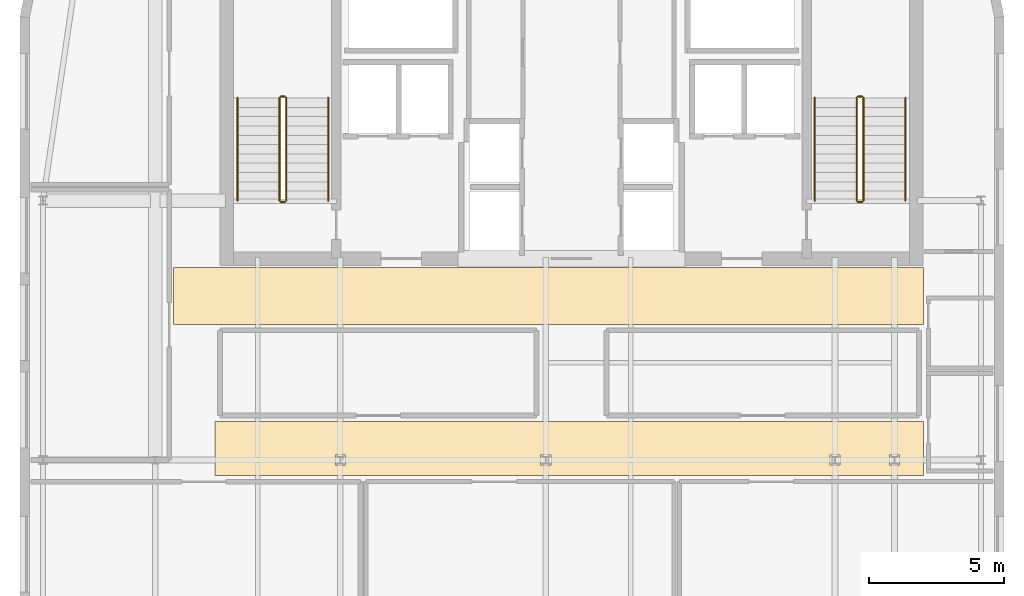
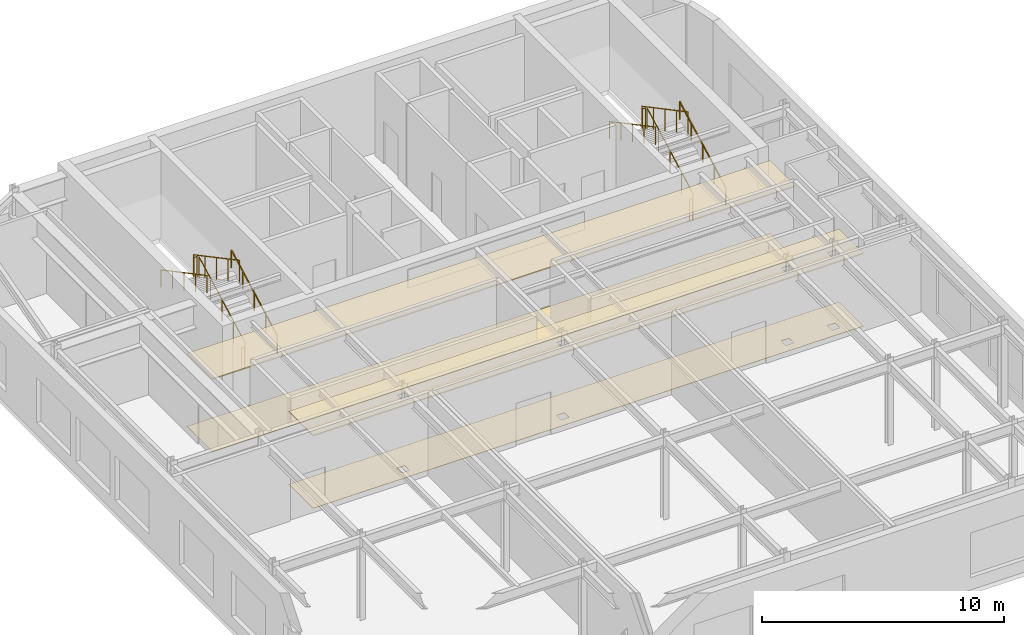
# One storey, part 10 of 10: 12 railings, 4 coverings.
"""IFC4 building model written with IfcOpenShell, lengths in metres."""

from ifc_helpers import new_model, si_unit, direction, frame, origin, origin_2d, place, context, subcontext, project, spatial, polyline, circle, outline, extrude, material, layer, layer_set, type_object, element, save


model = new_model("IFC4")

# Units and contexts
model_context = context("Model", 3, precision=1e-05, world=origin(), true_north=direction((0.0, 1.0)))
body_context = subcontext(model_context, "Body", "Model", "MODEL_VIEW")
ifc_project = project(units=[si_unit("LENGTHUNIT", "METRE"), si_unit("AREAUNIT", "SQUARE_METRE"), si_unit("VOLUMEUNIT", "CUBIC_METRE"), si_unit("PLANEANGLEUNIT", "RADIAN"), si_unit("MASSUNIT", "GRAM", prefix="KILO")], contexts=[model_context])

# Site, building, storey
site_placement = place(None, origin())
site = spatial("IfcSite", under=ifc_project, at=site_placement, CompositionType="ELEMENT")
building_placement = place(site_placement, origin())
building = spatial("IfcBuilding", under=site, at=building_placement, Name="Tolvann Quenvar Hotel", CompositionType="ELEMENT")
storey_placement = place(building_placement, frame((0.0, 0.0, 282.14990234375)))
storey = spatial("IfcBuildingStorey", under=building, at=storey_placement, Name="L75", CompositionType="ELEMENT", Elevation=282.14990234375)

# Coverings
ifc_material_1 = material(Name="Micro-perforated acoustic mineral-fibre and timber-batten suspended ceiling", Category="wood")
ifc_layer_1 = layer(ifc_material_1, 0.054931640625)
ifc_layer_set_1 = layer_set([ifc_layer_1], Name="Micro-perforated acoustic mineral-fibre and timber-batten suspended ceiling")
covering_type_1 = type_object("IfcCoveringType", Name="COV_CEIL_TIMBER_55", PredefinedType="CEILING", material=ifc_layer_set_1)
covering_1_placement = place(storey_placement, frame((0.0, 0.0, 3.64013671875)))
element("IfcCovering", 1, at=covering_1_placement, inside=storey, type_object=covering_type_1, Name="Suspended Acoustic Ceiling (Observatory Arrival Corridor)", PredefinedType="CEILING", context=body_context, shape_type="SweptSolid", body=[
    extrude(outline(polyline([(8.27001953125, 29.419921875), (36.030029296875, 29.419921875), (36.030029296875, 31.530029296875), (8.27001953125, 31.530029296875), (8.27001953125, 29.419921875)])), origin(), (0.0, 0.0, 1.0), 0.054931640625),
])
covering_2_placement = place(storey_placement, frame((0.0, 0.0, 3.64013671875)))
element("IfcCovering", 2, at=covering_2_placement, inside=storey, type_object=covering_type_1, Name="Suspended Acoustic Ceiling (Public Observation Gallery and Viewing Concourse)", PredefinedType="CEILING", context=body_context, shape_type="SweptSolid", body=[
    extrude(outline(polyline([(9.820068359375, 23.820068359375), (36.030029296875, 23.820068359375), (36.030029296875, 25.830078125), (9.820068359375, 25.830078125), (9.820068359375, 23.820068359375)]), holes=[polyline([(14.261962890625, 24.2099609375), (14.261962890625, 24.590087890625), (14.637939453125, 24.590087890625), (14.637939453125, 24.2099609375), (14.261962890625, 24.2099609375)]), polyline([(21.862060546875, 24.2099609375), (21.862060546875, 24.590087890625), (22.238037109375, 24.590087890625), (22.238037109375, 24.2099609375), (21.862060546875, 24.2099609375)]), polyline([(32.56201171875, 24.2099609375), (32.56201171875, 24.590087890625), (32.93798828125, 24.590087890625), (32.93798828125, 24.2099609375), (32.56201171875, 24.2099609375)]), polyline([(34.761962890625, 24.2099609375), (34.761962890625, 24.590087890625), (35.137939453125, 24.590087890625), (35.137939453125, 24.2099609375), (34.761962890625, 24.2099609375)])]), origin(), (0.0, 0.0, 1.0), 0.054931640625),
])
ifc_material_2 = material(Name="Honed Australian bluestone, terrazzo and engineered oak flooring", Category="masonry")
ifc_layer_2 = layer(ifc_material_2, 0.02001953125)
ifc_layer_set_2 = layer_set([ifc_layer_2], Name="Honed Australian bluestone, terrazzo and engineered oak flooring")
covering_type_2 = type_object("IfcCoveringType", Name="COV_FLOOR_STONE_20", PredefinedType="FLOORING", material=ifc_layer_set_2)
covering_3_placement = place(storey_placement, origin())
element("IfcCovering", 3, at=covering_3_placement, inside=storey, type_object=covering_type_2, Name="Architectural Floor Finish (Observatory Arrival Corridor)", PredefinedType="FLOORING", context=body_context, shape_type="SweptSolid", body=[
    extrude(outline(polyline([(8.27001953125, 29.419921875), (36.030029296875, 29.419921875), (36.030029296875, 31.530029296875), (8.27001953125, 31.530029296875), (8.27001953125, 29.419921875)])), origin(), (0.0, 0.0, 1.0), 0.02001953125),
])
covering_4_placement = place(storey_placement, origin())
element("IfcCovering", 4, at=covering_4_placement, inside=storey, type_object=covering_type_2, Name="Architectural Floor Finish (Public Observation Gallery and Viewing Concourse)", PredefinedType="FLOORING", context=body_context, shape_type="SweptSolid", body=[
    extrude(outline(polyline([(9.820068359375, 23.820068359375), (36.030029296875, 23.820068359375), (36.030029296875, 25.830078125), (9.820068359375, 25.830078125), (9.820068359375, 23.820068359375)]), holes=[polyline([(14.261962890625, 24.2099609375), (14.261962890625, 24.590087890625), (14.637939453125, 24.590087890625), (14.637939453125, 24.2099609375), (14.261962890625, 24.2099609375)]), polyline([(21.862060546875, 24.2099609375), (21.862060546875, 24.590087890625), (22.238037109375, 24.590087890625), (22.238037109375, 24.2099609375), (21.862060546875, 24.2099609375)]), polyline([(32.56201171875, 24.2099609375), (32.56201171875, 24.590087890625), (32.93798828125, 24.590087890625), (32.93798828125, 24.2099609375), (32.56201171875, 24.2099609375)]), polyline([(34.761962890625, 24.2099609375), (34.761962890625, 24.590087890625), (35.137939453125, 24.590087890625), (35.137939453125, 24.2099609375), (34.761962890625, 24.2099609375)])]), origin(), (0.0, 0.0, 1.0), 0.02001953125),
])

# Railings
ifc_material_3 = material(Name="Brushed 316 stainless steel balustrade and handrail", Category="steel")
railing_type_1 = type_object("IfcRailingType", Name="GUARDRAIL", PredefinedType="GUARDRAIL", material=ifc_material_3)
railing_1_placement = place(storey_placement, frame((12.449951171875, 34.0, 0.183349609375)))
element("IfcRailing", 5, at=railing_1_placement, inside=storey, type_object=railing_type_1, Name="L75 ST-C1 stair guard 1", PredefinedType="GUARDRAIL", context=body_context, shape_type="SweptSolid", body=[
    extrude(circle(Radius=0.02392578125, at=origin_2d()), frame((0.0, 0.0, 1.09619140625), z_axis=(0.0, 0.883039212421, 0.469299210873), x_axis=(-1.0, 0.0, 0.0)), (0.0, 0.0, 1.0), 4.297607421875),
    extrude(circle(Radius=0.02099609375, at=origin_2d()), origin(), (0.0, 0.0, 1.0), 1.072021484375),
    extrude(circle(Radius=0.02099609375, at=origin_2d()), frame((0.0, 0.94873046875, 0.504150390625)), (0.0, 0.0, 1.0), 1.072021484375),
    extrude(circle(Radius=0.02099609375, at=origin_2d()), frame((0.0, 1.8974609375, 1.00830078125)), (0.0, 0.0, 1.0), 1.072021484375),
    extrude(circle(Radius=0.02099609375, at=origin_2d()), frame((0.0, 2.84619140625, 1.5126953125)), (0.0, 0.0, 1.0), 1.072021484375),
    extrude(circle(Radius=0.02099609375, at=origin_2d()), frame((0.0, 3.794921875, 2.016845703125)), (0.0, 0.0, 1.0), 1.072021484375),
])
railing_2_placement = place(storey_placement, frame((12.39990234375, 37.844970703125, 2.2001953125)))
element("IfcRailing", 6, at=railing_2_placement, inside=storey, type_object=railing_type_1, Name="L75 ST-C1 stair guard 2", PredefinedType="GUARDRAIL", context=body_context, shape_type="SweptSolid", body=[
    extrude(circle(Radius=0.02392578125, at=origin_2d()), frame((0.0, 0.0, 1.09619140625), z_axis=(-1.0, 0.0, 0.0), x_axis=(0.0, -1.0, 0.0)), (0.0, 0.0, 1.0), 0.14990234375),
    extrude(circle(Radius=0.02099609375, at=origin_2d()), origin(), (0.0, 0.0, 1.0), 1.072021484375),
    extrude(circle(Radius=0.02099609375, at=origin_2d()), frame((-0.14990234375, 0.0, 0.0)), (0.0, 0.0, 1.0), 1.072021484375),
])
railing_3_placement = place(storey_placement, frame((12.199951171875, 37.794921875, 2.383544921875)))
element("IfcRailing", 7, at=railing_3_placement, inside=storey, type_object=railing_type_1, Name="L75 ST-C1 stair guard 3", PredefinedType="GUARDRAIL", context=body_context, shape_type="SweptSolid", body=[
    extrude(circle(Radius=0.02392578125, at=origin_2d()), frame((0.0, 0.0, 1.09619140625), z_axis=(0.0, -0.883062754136, 0.469254911809), x_axis=(1.0, 0.0, 0.0)), (0.0, 0.0, 1.0), 4.29736328125),
    extrude(circle(Radius=0.02099609375, at=origin_2d()), origin(), (0.0, 0.0, 1.0), 1.072021484375),
    extrude(circle(Radius=0.02099609375, at=origin_2d()), frame((0.0, -0.94873046875, 0.504150390625)), (0.0, 0.0, 1.0), 1.072021484375),
    extrude(circle(Radius=0.02099609375, at=origin_2d()), frame((0.0, -1.8974609375, 1.00830078125)), (0.0, 0.0, 1.0), 1.072021484375),
    extrude(circle(Radius=0.02099609375, at=origin_2d()), frame((0.0, -2.84619140625, 1.512451171875)), (0.0, 0.0, 1.0), 1.072021484375),
    extrude(circle(Radius=0.02099609375, at=origin_2d()), frame((0.0, -3.794921875, 2.0166015625)), (0.0, 0.0, 1.0), 1.072021484375),
])
railing_4_placement = place(storey_placement, frame((12.39990234375, 33.949951171875, 0.0)))
element("IfcRailing", 8, at=railing_4_placement, inside=storey, type_object=railing_type_1, Name="L75 ST-C1 stair guard 4", PredefinedType="GUARDRAIL", context=body_context, shape_type="SweptSolid", body=[
    extrude(circle(Radius=0.02392578125, at=origin_2d()), frame((0.0, 0.0, 1.09619140625), z_axis=(-1.0, 0.0, 0.0), x_axis=(0.0, -1.0, 0.0)), (0.0, 0.0, 1.0), 0.14990234375),
    extrude(circle(Radius=0.02099609375, at=origin_2d()), origin(), (0.0, 0.0, 1.0), 1.072021484375),
    extrude(circle(Radius=0.02099609375, at=origin_2d()), frame((-0.14990234375, 0.0, 0.0)), (0.0, 0.0, 1.0), 1.072021484375),
])
railing_5_placement = place(storey_placement, frame((33.800048828125, 34.0, 0.183349609375)))
element("IfcRailing", 9, at=railing_5_placement, inside=storey, type_object=railing_type_1, Name="L75 ST-C2 stair guard 1", PredefinedType="GUARDRAIL", context=body_context, shape_type="SweptSolid", body=[
    extrude(circle(Radius=0.02392578125, at=origin_2d()), frame((0.0, 0.0, 1.09619140625), z_axis=(0.0, 0.883039212421, 0.469299210873), x_axis=(-1.0, 0.0, 0.0)), (0.0, 0.0, 1.0), 4.297607421875),
    extrude(circle(Radius=0.02099609375, at=origin_2d()), origin(), (0.0, 0.0, 1.0), 1.072021484375),
    extrude(circle(Radius=0.02099609375, at=origin_2d()), frame((0.0, 0.94873046875, 0.504150390625)), (0.0, 0.0, 1.0), 1.072021484375),
    extrude(circle(Radius=0.02099609375, at=origin_2d()), frame((0.0, 1.8974609375, 1.00830078125)), (0.0, 0.0, 1.0), 1.072021484375),
    extrude(circle(Radius=0.02099609375, at=origin_2d()), frame((0.0, 2.84619140625, 1.5126953125)), (0.0, 0.0, 1.0), 1.072021484375),
    extrude(circle(Radius=0.02099609375, at=origin_2d()), frame((0.0, 3.794921875, 2.016845703125)), (0.0, 0.0, 1.0), 1.072021484375),
])
railing_6_placement = place(storey_placement, frame((33.75, 37.844970703125, 2.2001953125)))
element("IfcRailing", 10, at=railing_6_placement, inside=storey, type_object=railing_type_1, Name="L75 ST-C2 stair guard 2", PredefinedType="GUARDRAIL", context=body_context, shape_type="SweptSolid", body=[
    extrude(circle(Radius=0.02392578125, at=origin_2d()), frame((0.0, 0.0, 1.09619140625), z_axis=(-1.0, 0.0, 0.0), x_axis=(0.0, -1.0, 0.0)), (0.0, 0.0, 1.0), 0.14990234375),
    extrude(circle(Radius=0.02099609375, at=origin_2d()), origin(), (0.0, 0.0, 1.0), 1.072021484375),
    extrude(circle(Radius=0.02099609375, at=origin_2d()), frame((-0.14990234375, 0.0, 0.0)), (0.0, 0.0, 1.0), 1.072021484375),
])
railing_7_placement = place(storey_placement, frame((33.550048828125, 37.794921875, 2.383544921875)))
element("IfcRailing", 11, at=railing_7_placement, inside=storey, type_object=railing_type_1, Name="L75 ST-C2 stair guard 3", PredefinedType="GUARDRAIL", context=body_context, shape_type="SweptSolid", body=[
    extrude(circle(Radius=0.02392578125, at=origin_2d()), frame((0.0, 0.0, 1.09619140625), z_axis=(0.0, -0.883062754136, 0.469254911809), x_axis=(1.0, 0.0, 0.0)), (0.0, 0.0, 1.0), 4.29736328125),
    extrude(circle(Radius=0.02099609375, at=origin_2d()), origin(), (0.0, 0.0, 1.0), 1.072021484375),
    extrude(circle(Radius=0.02099609375, at=origin_2d()), frame((0.0, -0.94873046875, 0.504150390625)), (0.0, 0.0, 1.0), 1.072021484375),
    extrude(circle(Radius=0.02099609375, at=origin_2d()), frame((0.0, -1.8974609375, 1.00830078125)), (0.0, 0.0, 1.0), 1.072021484375),
    extrude(circle(Radius=0.02099609375, at=origin_2d()), frame((0.0, -2.84619140625, 1.512451171875)), (0.0, 0.0, 1.0), 1.072021484375),
    extrude(circle(Radius=0.02099609375, at=origin_2d()), frame((0.0, -3.794921875, 2.0166015625)), (0.0, 0.0, 1.0), 1.072021484375),
])
railing_8_placement = place(storey_placement, frame((33.75, 33.949951171875, 0.0)))
element("IfcRailing", 12, at=railing_8_placement, inside=storey, type_object=railing_type_1, Name="L75 ST-C2 stair guard 4", PredefinedType="GUARDRAIL", context=body_context, shape_type="SweptSolid", body=[
    extrude(circle(Radius=0.02392578125, at=origin_2d()), frame((0.0, 0.0, 1.09619140625), z_axis=(-1.0, 0.0, 0.0), x_axis=(0.0, -1.0, 0.0)), (0.0, 0.0, 1.0), 0.14990234375),
    extrude(circle(Radius=0.02099609375, at=origin_2d()), origin(), (0.0, 0.0, 1.0), 1.072021484375),
    extrude(circle(Radius=0.02099609375, at=origin_2d()), frame((-0.14990234375, 0.0, 0.0)), (0.0, 0.0, 1.0), 1.072021484375),
])
railing_type_2 = type_object("IfcRailingType", Name="HANDRAIL", PredefinedType="HANDRAIL", material=ifc_material_3)
railing_9_placement = place(storey_placement, frame((14.0, 34.0, 0.183349609375)))
element("IfcRailing", 13, at=railing_9_placement, inside=storey, type_object=railing_type_2, Name="L75 ST-C1 stair handrail 1", PredefinedType="HANDRAIL", context=body_context, shape_type="SweptSolid", body=[
    extrude(circle(Radius=0.02392578125, at=origin_2d()), frame((0.0, 0.0, 0.8759765625), z_axis=(0.0, 0.883039212421, 0.469299210873), x_axis=(-1.0, 0.0, 0.0)), (0.0, 0.0, 1.0), 4.297607421875),
    extrude(circle(Radius=0.02099609375, at=origin_2d()), origin(), (0.0, 0.0, 1.0), 0.851806640625),
    extrude(circle(Radius=0.02099609375, at=origin_2d()), frame((0.0, 0.94873046875, 0.504150390625)), (0.0, 0.0, 1.0), 0.851806640625),
    extrude(circle(Radius=0.02099609375, at=origin_2d()), frame((0.0, 1.8974609375, 1.00830078125)), (0.0, 0.0, 1.0), 0.851806640625),
    extrude(circle(Radius=0.02099609375, at=origin_2d()), frame((0.0, 2.84619140625, 1.5126953125)), (0.0, 0.0, 1.0), 0.851806640625),
    extrude(circle(Radius=0.02099609375, at=origin_2d()), frame((0.0, 3.794921875, 2.016845703125)), (0.0, 0.0, 1.0), 0.851806640625),
])
railing_10_placement = place(storey_placement, frame((10.64990234375, 37.794921875, 2.383544921875)))
element("IfcRailing", 14, at=railing_10_placement, inside=storey, type_object=railing_type_2, Name="L75 ST-C1 stair handrail 2", PredefinedType="HANDRAIL", context=body_context, shape_type="SweptSolid", body=[
    extrude(circle(Radius=0.02392578125, at=origin_2d()), frame((0.0, 0.0, 0.8759765625), z_axis=(0.0, -0.883062754136, 0.469254911809), x_axis=(1.0, 0.0, 0.0)), (0.0, 0.0, 1.0), 4.29736328125),
    extrude(circle(Radius=0.02099609375, at=origin_2d()), origin(), (0.0, 0.0, 1.0), 0.851806640625),
    extrude(circle(Radius=0.02099609375, at=origin_2d()), frame((0.0, -0.94873046875, 0.504150390625)), (0.0, 0.0, 1.0), 0.851806640625),
    extrude(circle(Radius=0.02099609375, at=origin_2d()), frame((0.0, -1.8974609375, 1.00830078125)), (0.0, 0.0, 1.0), 0.851806640625),
    extrude(circle(Radius=0.02099609375, at=origin_2d()), frame((0.0, -2.84619140625, 1.512451171875)), (0.0, 0.0, 1.0), 0.851806640625),
    extrude(circle(Radius=0.02099609375, at=origin_2d()), frame((0.0, -3.794921875, 2.0166015625)), (0.0, 0.0, 1.0), 0.851806640625),
])
railing_11_placement = place(storey_placement, frame((35.35009765625, 34.0, 0.183349609375)))
element("IfcRailing", 15, at=railing_11_placement, inside=storey, type_object=railing_type_2, Name="L75 ST-C2 stair handrail 1", PredefinedType="HANDRAIL", context=body_context, shape_type="SweptSolid", body=[
    extrude(circle(Radius=0.02392578125, at=origin_2d()), frame((0.0, 0.0, 0.8759765625), z_axis=(0.0, 0.883039212421, 0.469299210873), x_axis=(-1.0, 0.0, 0.0)), (0.0, 0.0, 1.0), 4.297607421875),
    extrude(circle(Radius=0.02099609375, at=origin_2d()), origin(), (0.0, 0.0, 1.0), 0.851806640625),
    extrude(circle(Radius=0.02099609375, at=origin_2d()), frame((0.0, 0.94873046875, 0.504150390625)), (0.0, 0.0, 1.0), 0.851806640625),
    extrude(circle(Radius=0.02099609375, at=origin_2d()), frame((0.0, 1.8974609375, 1.00830078125)), (0.0, 0.0, 1.0), 0.851806640625),
    extrude(circle(Radius=0.02099609375, at=origin_2d()), frame((0.0, 2.84619140625, 1.5126953125)), (0.0, 0.0, 1.0), 0.851806640625),
    extrude(circle(Radius=0.02099609375, at=origin_2d()), frame((0.0, 3.794921875, 2.016845703125)), (0.0, 0.0, 1.0), 0.851806640625),
])
railing_12_placement = place(storey_placement, frame((32.0, 37.794921875, 2.383544921875)))
element("IfcRailing", 16, at=railing_12_placement, inside=storey, type_object=railing_type_2, Name="L75 ST-C2 stair handrail 2", PredefinedType="HANDRAIL", context=body_context, shape_type="SweptSolid", body=[
    extrude(circle(Radius=0.02392578125, at=origin_2d()), frame((0.0, 0.0, 0.8759765625), z_axis=(0.0, -0.883062754136, 0.469254911809), x_axis=(1.0, 0.0, 0.0)), (0.0, 0.0, 1.0), 4.29736328125),
    extrude(circle(Radius=0.02099609375, at=origin_2d()), origin(), (0.0, 0.0, 1.0), 0.851806640625),
    extrude(circle(Radius=0.02099609375, at=origin_2d()), frame((0.0, -0.94873046875, 0.504150390625)), (0.0, 0.0, 1.0), 0.851806640625),
    extrude(circle(Radius=0.02099609375, at=origin_2d()), frame((0.0, -1.8974609375, 1.00830078125)), (0.0, 0.0, 1.0), 0.851806640625),
    extrude(circle(Radius=0.02099609375, at=origin_2d()), frame((0.0, -2.84619140625, 1.512451171875)), (0.0, 0.0, 1.0), 0.851806640625),
    extrude(circle(Radius=0.02099609375, at=origin_2d()), frame((0.0, -3.794921875, 2.0166015625)), (0.0, 0.0, 1.0), 0.851806640625),
])

save(model, "model.ifc")
